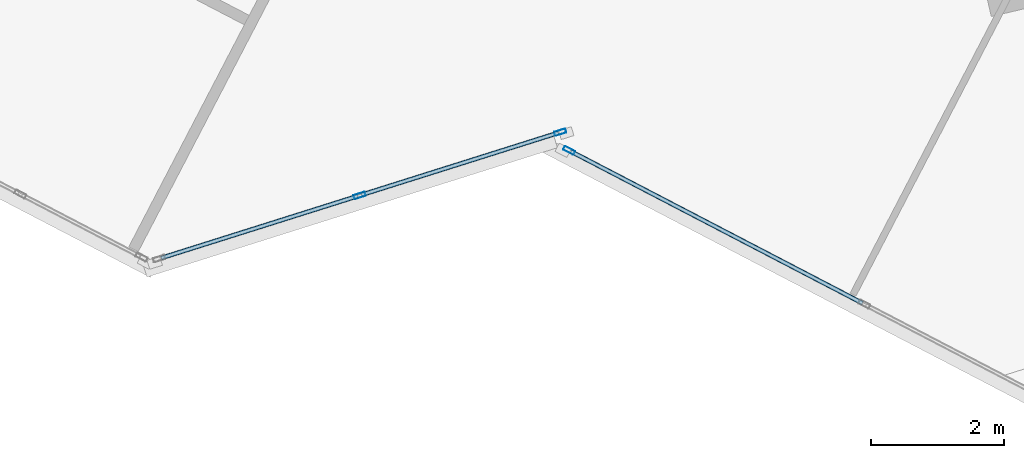
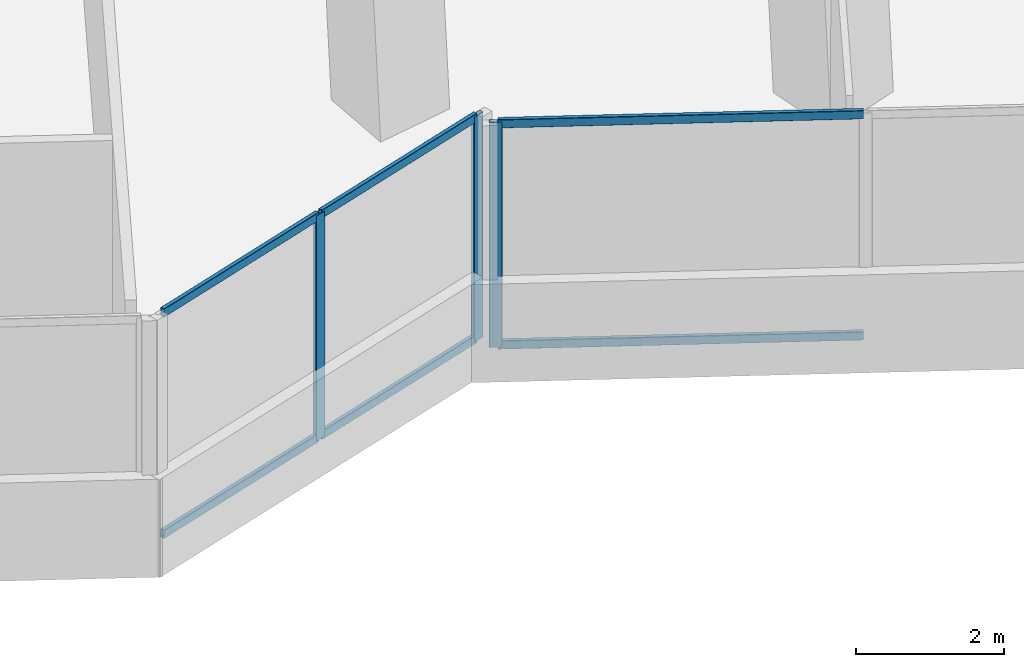
# One storey, part 5 of 22: 9 members, 2 elements without a shape of their own.
"""IFC4 building model written with IfcOpenShell, lengths in metres."""

import ifcopenshell
import ifcopenshell.guid

model = None  # the IFC model being written
_history = None  # IfcOwnerHistory: only IFC2X3 demands one
_inside = {}  # id of a spatial element -> (the spatial element, [elements in it])
_under = {}  # id of a project, library or spatial element -> (it, [spatial elements below it])
_declared = {}  # id of a project -> (the project, [libraries it declares])
_typed = {}  # id of a type object -> (the type object, [elements of that type])
_made_of = {}  # id of a material, layer set ... -> (it, [elements and type objects made of it])


def new_model(schema):
    """Start an empty IFC model of exactly this schema.

    Asked for "IFC4X3", IfcOpenShell would pick the latest addendum, in which some entities
    have other attributes; the version numbers below select the first issue.
    IFC2X3 requires an IfcOwnerHistory on every rooted entity: one is made here for all.
    """
    global model, _history
    if schema == "IFC4X3":
        model = ifcopenshell.file(schema_version=(4, 3, 0, 0))
    else:
        model = ifcopenshell.file(schema=schema)
    _inside.clear()
    _under.clear()
    _declared.clear()
    _typed.clear()
    _made_of.clear()
    _history = None
    if model.schema == "IFC2X3":
        org = make("IfcOrganization", Name="unknown")
        user = make(
            "IfcPersonAndOrganization",
            ThePerson=make("IfcPerson", FamilyName="unknown"),
            TheOrganization=org,
        )
        app = make(
            "IfcApplication",
            ApplicationDeveloper=org,
            Version="unknown",
            ApplicationFullName="unknown",
            ApplicationIdentifier="unknown",
        )
        _history = make(
            "IfcOwnerHistory",
            OwningUser=user,
            OwningApplication=app,
            ChangeAction="ADDED",
            CreationDate=0,
        )
    return model


def make(cls, **values):
    """One entity of the class cls with the attributes given. An attribute that is None is left unset."""
    return model.create_entity(
        cls, **{name: value for name, value in values.items() if value is not None}
    )


def rooted(cls, **values):
    """An entity with a GlobalId (a new one), such as an element, a storey or a relation."""
    return make(cls, GlobalId=ifcopenshell.guid.new(), OwnerHistory=_history, **values)


def si_unit(unit_type, name, prefix=None):
    """IfcSIUnit, for example si_unit("LENGTHUNIT", "METRE", prefix="MILLI")."""
    return make("IfcSIUnit", UnitType=unit_type, Prefix=prefix, Name=name)


def assignment(units):
    """IfcUnitAssignment: the units of a project."""
    return None if units is None else make("IfcUnitAssignment", Units=units)


def point(xyz):
    """IfcCartesianPoint."""
    return None if xyz is None else make("IfcCartesianPoint", Coordinates=xyz)


def direction(xyz):
    """IfcDirection."""
    return None if xyz is None else make("IfcDirection", DirectionRatios=xyz)


def frame(location, z_axis=None, x_axis=None):
    """IfcAxis2Placement3D, a coordinate frame: its origin and axes. An axis left out is left unset."""
    return make(
        "IfcAxis2Placement3D",
        Location=point(location),
        Axis=direction(z_axis),
        RefDirection=direction(x_axis),
    )


def frame_2d(location, x_axis=None):
    """IfcAxis2Placement2D, a coordinate frame in the plane: its origin and x axis."""
    return make(
        "IfcAxis2Placement2D", Location=point(location), RefDirection=direction(x_axis)
    )


def origin():
    """The frame at (0, 0, 0) with its axes left unset."""
    return frame((0.0, 0.0, 0.0))


def origin_2d():
    """The frame at (0, 0) in the plane with its x axis left unset."""
    return frame_2d((0.0, 0.0))


def place(relative_to, where):
    """IfcLocalPlacement: puts the frame where relative to a parent placement (None: the world)."""
    return make(
        "IfcLocalPlacement", PlacementRelTo=relative_to, RelativePlacement=where
    )


def context(
    kind, dimensions, precision=None, world=None, true_north=None, identifier=None
):
    """IfcGeometricRepresentationContext, for example the 3D "Model" context."""
    return make(
        "IfcGeometricRepresentationContext",
        ContextIdentifier=identifier,
        ContextType=kind,
        CoordinateSpaceDimension=dimensions,
        Precision=precision,
        WorldCoordinateSystem=world,
        TrueNorth=true_north,
    )


def subcontext(parent, identifier, kind, view, scale=None):
    """IfcGeometricRepresentationSubContext, for example "Body" below "Model"."""
    return make(
        "IfcGeometricRepresentationSubContext",
        ContextIdentifier=identifier,
        ContextType=kind,
        ParentContext=parent,
        TargetScale=scale,
        TargetView=view,
    )


def project(units=None, contexts=None):
    """IfcProject with its units and contexts."""
    return rooted(
        "IfcProject",
        Name="project",
        RepresentationContexts=contexts,
        UnitsInContext=assignment(units),
    )


def spatial(cls, under=None, at=None, **own):
    """A site, building, storey or space (cls), placed at a placement, below another one or the project."""
    s = rooted(cls, ObjectPlacement=at, **own)
    if under is not None:
        _under.setdefault(under.id(), (under, []))[1].append(s)
    return s


def profile(cls, at=None, kind="AREA", **sizes):
    """A parametric profile (cls). Its sizes go by their IFC names, for example OverallWidth=200.0."""
    return make(cls, ProfileType=kind, Position=at, **sizes)


def hollow_rectangle(**sizes):
    """IfcRectangleHollowProfileDef."""
    return profile("IfcRectangleHollowProfileDef", **sizes)


def extrude(swept, where, along, depth):
    """IfcExtrudedAreaSolid: the profile swept, set in the frame where, extruded along a direction by depth."""
    return make(
        "IfcExtrudedAreaSolid",
        SweptArea=swept,
        Position=where,
        ExtrudedDirection=direction(along),
        Depth=depth,
    )


def shape(context_of_items, identifier, shape_type, items):
    """IfcShapeRepresentation: the items that make up one representation, for example the "Body"."""
    return make(
        "IfcShapeRepresentation",
        ContextOfItems=context_of_items,
        RepresentationIdentifier=identifier,
        RepresentationType=shape_type,
        Items=items,
    )


def source(mapping_origin, context_of_items, identifier, shape_type, items):
    """IfcRepresentationMap: a shape defined once, which mapped items show again and again."""
    return make(
        "IfcRepresentationMap",
        MappingOrigin=mapping_origin,
        MappedRepresentation=shape(context_of_items, identifier, shape_type, items),
    )


def transform(
    local_origin,
    x_axis=None,
    y_axis=None,
    z_axis=None,
    scale=None,
    scale2=None,
    scale3=None,
    uniform=True,
):
    """IfcCartesianTransformationOperator3D, or its non-uniform kind. x_axis, y_axis, z_axis: its Axis1, 2, 3."""
    if uniform:
        return make(
            "IfcCartesianTransformationOperator3D",
            Axis1=direction(x_axis),
            Axis2=direction(y_axis),
            LocalOrigin=point(local_origin),
            Scale=scale,
            Axis3=direction(z_axis),
        )
    return make(
        "IfcCartesianTransformationOperator3DnonUniform",
        Axis1=direction(x_axis),
        Axis2=direction(y_axis),
        LocalOrigin=point(local_origin),
        Scale=scale,
        Axis3=direction(z_axis),
        Scale2=scale2,
        Scale3=scale3,
    )


def mapped(mapping_source, mapping_target):
    """IfcMappedItem: shows the shape of a source again, moved by a transform."""
    return make(
        "IfcMappedItem", MappingSource=mapping_source, MappingTarget=mapping_target
    )


def material(Name=None, Category=None):
    """IfcMaterial."""
    return make("IfcMaterial", Name=Name, Category=Category)


def material_profile(
    of_material, cross_section, Name=None, Category=None, Priority=None
):
    """IfcMaterialProfile: a cross section and its material."""
    return make(
        "IfcMaterialProfile",
        Name=Name,
        Material=of_material,
        Profile=cross_section,
        Priority=Priority,
        Category=Category,
    )


def profile_set(profiles, Name=None, composite=None):
    """IfcMaterialProfileSet."""
    return make(
        "IfcMaterialProfileSet",
        Name=Name,
        MaterialProfiles=profiles,
        CompositeProfile=composite,
    )


def made_of(thing, what):
    """Note that an element or type object is made of a material, layer set ...; save() writes the relation."""
    if what is not None:
        _made_of.setdefault(what.id(), (what, []))[1].append(thing)
    return thing


def type_object(cls, material=None, **own):
    """A type object (cls), such as IfcWallType, which elements share."""
    return made_of(rooted(cls, **own), material)


def element(
    cls,
    number,
    at=None,
    inside=None,
    cuts=None,
    type_object=None,
    material=None,
    context=None,
    identifier="Body",
    shape_type=None,
    held_by="IfcProductDefinitionShape",
    body=None,
    shapes=None,
    **own,
):
    """One element of the class cls, such as IfcWall. Its Tag is "e" and its number.

    at: its placement. inside: the storey or other place that contains it. cuts: it is an
    opening in that element (IfcRelVoidsElement). A single representation is given by context,
    identifier, shape_type and body (its items); several are given by shapes. held_by: the class
    of the entity that holds the representations. save() writes the other relations.
    """
    e = rooted(cls, Tag="e%d" % number, ObjectPlacement=at, **own)
    if body is not None:
        shapes = [shape(context, identifier, shape_type, body)]
    if shapes is not None:
        e.Representation = make(held_by, Representations=shapes)
    if inside is not None:
        _inside.setdefault(inside.id(), (inside, []))[1].append(e)
    if cuts is not None:
        rooted(
            "IfcRelVoidsElement", RelatingBuildingElement=cuts, RelatedOpeningElement=e
        )
    if type_object is not None:
        _typed.setdefault(type_object.id(), (type_object, []))[1].append(e)
    return made_of(e, material)


def aggregate(whole, parts):
    """IfcRelAggregates: a whole, such as a stair, and the parts it consists of."""
    return rooted("IfcRelAggregates", RelatingObject=whole, RelatedObjects=parts)


def save(model, path):
    """Write the relations noted so far, then the file.

    IfcRelAggregates (storeys below a building ...), IfcRelContainedInSpatialStructure (elements
    in a storey), IfcRelDefinesByType, IfcRelAssociatesMaterial and IfcRelDeclares: one each for
    every whole, place, type object, material and project.
    """
    for whole, parts in _under.values():
        aggregate(whole, parts)
    for where, things in _inside.values():
        rooted(
            "IfcRelContainedInSpatialStructure",
            RelatedElements=things,
            RelatingStructure=where,
        )
    for kind, things in _typed.values():
        rooted("IfcRelDefinesByType", RelatedObjects=things, RelatingType=kind)
    for what, things in _made_of.values():
        rooted("IfcRelAssociatesMaterial", RelatedObjects=things, RelatingMaterial=what)
    for by, libraries in _declared.values():
        rooted("IfcRelDeclares", RelatingContext=by, RelatedDefinitions=libraries)
    model.write(path)


model = new_model("IFC4")

# Units and contexts
model_context = context("Model", 3, precision=1e-05, world=origin(), true_north=direction((0.0, 1.0)))
body_context = subcontext(model_context, "Body", "Model", "MODEL_VIEW")
ifc_project = project(units=[si_unit("LENGTHUNIT", "METRE"), si_unit("AREAUNIT", "SQUARE_METRE"), si_unit("VOLUMEUNIT", "CUBIC_METRE"), si_unit("PLANEANGLEUNIT", "RADIAN"), si_unit("MASSUNIT", "GRAM", prefix="KILO")], contexts=[model_context])

# Site, building, storey
site_placement = place(None, origin())
site = spatial("IfcSite", under=ifc_project, at=site_placement, CompositionType="ELEMENT")
building_placement = place(site_placement, origin())
building = spatial("IfcBuilding", under=site, at=building_placement, Name="Torre Montelarca", CompositionType="ELEMENT")
storey_placement = place(building_placement, frame((0.0, 0.0, 170.800048828125)))
storey = spatial("IfcBuildingStorey", under=building, at=storey_placement, Name="L38", CompositionType="ELEMENT", Elevation=170.800048828125)

# Curtain wall, members
ifc_material_1 = material(Name="Insulated low-E laminated glass", Category="glass")
curtain_wall_type = type_object("IfcCurtainWallType", Name="CW-SYS-Z2", PredefinedType="USERDEFINED", material=ifc_material_1)
curtain_wall_1_placement = place(storey_placement, origin())
curtain_wall_1 = element("IfcCurtainWall", 1, at=curtain_wall_1_placement, inside=storey, type_object=curtain_wall_type, Name="L38 Curtain Wall Run CW-T3-L38-E02-B1", ObjectType="UNITISED GLAZING", PredefinedType="USERDEFINED")
ifc_material_2 = material(Name="Anodised aluminium AA 6063-T6", Category="aluminium")
ifc_material_profile_1 = material_profile(ifc_material_2, hollow_rectangle(XDim=0.06494140625, YDim=0.139892578125, WallThickness=0.00390625, InnerFilletRadius=0.00390625, OuterFilletRadius=0.008056640625, at=origin_2d()), Name="ALU65X140X4", Category="aluminium")
ifc_profile_set_1 = profile_set([ifc_material_profile_1], Name="Anodised aluminium AA 6063-T6")
member_type_1 = type_object("IfcMemberType", Name="CWT-ALU140", PredefinedType="USERDEFINED", material=ifc_profile_set_1)
shared_shape_1 = source(origin(), body_context, "Body", "SweptSolid", [
    extrude(hollow_rectangle(XDim=0.06494140625, YDim=0.139892578125, WallThickness=0.00390625, InnerFilletRadius=0.00390625, OuterFilletRadius=0.008056640625, at=origin_2d()), origin(), (0.0, 0.0, 1.0), 3.102294921875),
])
member_1_placement = place(storey_placement, frame((22.94580078125, 11.016845703125, 0.032470703125), z_axis=(0.953719343554, 0.30069821039, 0.0), x_axis=(-0.30069821039, 0.953719343554, 0.0)))
member_1 = element("IfcMember", 2, at=member_1_placement, type_object=member_type_1, Name="CW transom 1.1", ObjectType="TRANSOM", PredefinedType="USERDEFINED", context=body_context, shape_type="MappedRepresentation", body=[
    mapped(shared_shape_1, transform((0.0, 0.0, 0.0), scale=1.0)),
])
member_2_placement = place(storey_placement, frame((22.94580078125, 11.016845703125, 3.6875), z_axis=(0.953719343554, 0.30069821039, 0.0), x_axis=(-0.30069821039, 0.953719343554, 0.0)))
member_2 = element("IfcMember", 3, at=member_2_placement, type_object=member_type_1, Name="CW transom 1.2", ObjectType="TRANSOM", PredefinedType="USERDEFINED", context=body_context, shape_type="MappedRepresentation", body=[
    mapped(shared_shape_1, transform((0.0, 0.0, 0.0), scale=1.0)),
])
shared_shape_2 = source(origin(), body_context, "Body", "SweptSolid", [
    extrude(hollow_rectangle(XDim=0.06494140625, YDim=0.139892578125, WallThickness=0.00390625, InnerFilletRadius=0.00390625, OuterFilletRadius=0.008056640625, at=origin_2d()), origin(), (0.0, 0.0, 1.0), 3.1025390625),
])
member_3_placement = place(storey_placement, frame((25.966552734375, 11.96923828125, 0.032470703125), z_axis=(0.953726458417, 0.300675643367, 0.0), x_axis=(-0.300675643367, 0.953726458417, 0.0)))
member_3 = element("IfcMember", 4, at=member_3_placement, type_object=member_type_1, Name="CW transom 2.1", ObjectType="TRANSOM", PredefinedType="USERDEFINED", context=body_context, shape_type="MappedRepresentation", body=[
    mapped(shared_shape_2, transform((0.0, 0.0, 0.0), scale=1.0)),
])
member_4_placement = place(storey_placement, frame((25.966552734375, 11.96923828125, 3.6875), z_axis=(0.953726458417, 0.300675643367, 0.0), x_axis=(-0.300675643367, 0.953726458417, 0.0)))
member_4 = element("IfcMember", 5, at=member_4_placement, type_object=member_type_1, Name="CW transom 2.2", ObjectType="TRANSOM", PredefinedType="USERDEFINED", context=body_context, shape_type="MappedRepresentation", body=[
    mapped(shared_shape_2, transform((0.0, 0.0, 0.0), scale=1.0)),
])
ifc_material_profile_2 = material_profile(ifc_material_2, hollow_rectangle(XDim=0.06494140625, YDim=0.179931640625, WallThickness=0.00390625, InnerFilletRadius=0.00390625, OuterFilletRadius=0.008056640625, at=origin_2d()), Name="ALU65X180X4", Category="aluminium")
ifc_profile_set_2 = profile_set([ifc_material_profile_2], Name="Anodised aluminium AA 6063-T6")
member_type_2 = type_object("IfcMemberType", Name="CWM-ALU180", PredefinedType="MULLION", material=ifc_profile_set_2)
shared_shape_3 = source(origin(), body_context, "Body", "SweptSolid", [
    extrude(hollow_rectangle(XDim=0.06494140625, YDim=0.179931640625, WallThickness=0.00390625, InnerFilletRadius=0.00390625, OuterFilletRadius=0.008056640625, at=origin_2d()), origin(), (0.0, 0.0, 1.0), 3.719970703125),
])
member_5_placement = place(storey_placement, frame((25.935546875, 11.95947265625, 0.0), z_axis=(0.0, 0.0, 1.0), x_axis=(-0.300702850836, 0.953717880455, 0.0)))
member_5 = element("IfcMember", 6, at=member_5_placement, type_object=member_type_2, Name="CW mullion 2", PredefinedType="MULLION", context=body_context, shape_type="MappedRepresentation", body=[
    mapped(shared_shape_3, transform((0.0, 0.0, 0.0), scale=1.0)),
])
member_6_placement = place(storey_placement, frame((28.95654296875, 12.911865234375, 0.0), z_axis=(0.0, 0.0, 1.0), x_axis=(-0.300702850836, 0.953717880455, 0.0)))
member_6 = element("IfcMember", 7, at=member_6_placement, type_object=member_type_2, Name="CW mullion 3", PredefinedType="MULLION", context=body_context, shape_type="MappedRepresentation", body=[
    mapped(shared_shape_3, transform((0.0, 0.0, 0.0), scale=1.0)),
])
aggregate(curtain_wall_1, [member_5, member_6, member_1, member_2, member_3, member_4])

curtain_wall_2_placement = place(storey_placement, origin())
curtain_wall_2 = element("IfcCurtainWall", 8, at=curtain_wall_2_placement, inside=storey, type_object=curtain_wall_type, Name="L38 Curtain Wall Run CW-T3-L38-E04-B1", ObjectType="UNITISED GLAZING", PredefinedType="USERDEFINED")
member_7_placement = place(storey_placement, frame((29.09130859375, 12.636962890625, 0.0), z_axis=(0.0, 0.0, 1.0), x_axis=(0.461743609762, 0.887013437803, 0.0)))
member_7 = element("IfcMember", 9, at=member_7_placement, type_object=member_type_2, Name="CW mullion 1", PredefinedType="MULLION", context=body_context, shape_type="MappedRepresentation", body=[
    mapped(shared_shape_3, transform((0.0, 0.0, 0.0), scale=1.0)),
])
shared_shape_4 = source(origin(), body_context, "Body", "SweptSolid", [
    extrude(hollow_rectangle(XDim=0.06494140625, YDim=0.139892578125, WallThickness=0.00390625, InnerFilletRadius=0.00390625, OuterFilletRadius=0.008056640625, at=origin_2d()), origin(), (0.0, 0.0, 1.0), 4.948486328125),
])
member_8_placement = place(storey_placement, frame((29.1201171875, 12.621826171875, 0.032470703125), z_axis=(0.887016390061, -0.461737938405, 0.0), x_axis=(0.461737938405, 0.887016390061, 0.0)))
member_8 = element("IfcMember", 10, at=member_8_placement, type_object=member_type_1, Name="CW transom 1.1", ObjectType="TRANSOM", PredefinedType="USERDEFINED", context=body_context, shape_type="MappedRepresentation", body=[
    mapped(shared_shape_4, transform((0.0, 0.0, 0.0), scale=1.0)),
])
member_9_placement = place(storey_placement, frame((29.1201171875, 12.621826171875, 3.6875), z_axis=(0.887016390061, -0.461737938405, 0.0), x_axis=(0.461737938405, 0.887016390061, 0.0)))
member_9 = element("IfcMember", 11, at=member_9_placement, type_object=member_type_1, Name="CW transom 1.2", ObjectType="TRANSOM", PredefinedType="USERDEFINED", context=body_context, shape_type="MappedRepresentation", body=[
    mapped(shared_shape_4, transform((0.0, 0.0, 0.0), scale=1.0)),
])
aggregate(curtain_wall_2, [member_7, member_8, member_9])

save(model, "model.ifc")
